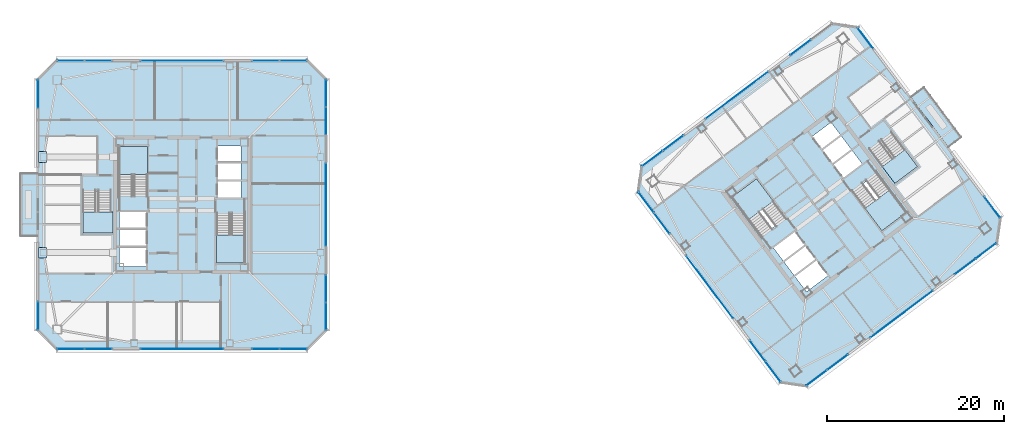
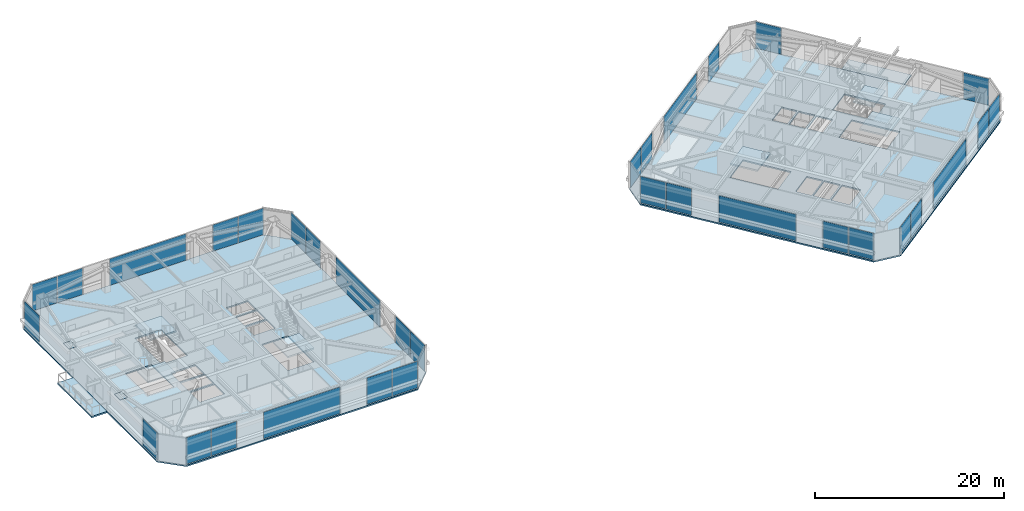
# One storey, part 27 of 39: 35 plates, 10 slabs, 28 elements without a shape of their own.
"""IFC4 building model written with IfcOpenShell, lengths in metres."""

from ifc_helpers import new_model, si_unit, direction, frame, origin, origin_2d, place, context, subcontext, project, spatial, polyline, rectangle, outline, extrude, material, layer, layer_set, type_object, element, aggregate, save


model = new_model("IFC4")

# Units and contexts
model_context = context("Model", 3, precision=1e-05, world=origin(), true_north=direction((0.0, 1.0)))
body_context = subcontext(model_context, "Body", "Model", "MODEL_VIEW")
ifc_project = project(units=[si_unit("LENGTHUNIT", "METRE"), si_unit("AREAUNIT", "SQUARE_METRE"), si_unit("VOLUMEUNIT", "CUBIC_METRE"), si_unit("PLANEANGLEUNIT", "RADIAN"), si_unit("MASSUNIT", "GRAM", prefix="KILO")], contexts=[model_context])

# Site, building, storey
site_placement = place(None, origin())
site = spatial("IfcSite", under=ifc_project, at=site_placement, CompositionType="ELEMENT")
building_placement = place(site_placement, origin())
building = spatial("IfcBuilding", under=site, at=building_placement, Name="Tashvorn Skyway Center", CompositionType="ELEMENT")
storey_placement = place(building_placement, frame((0.0, 0.0, 214.85009765625)))
storey = spatial("IfcBuildingStorey", under=building, at=storey_placement, Name="L58", CompositionType="ELEMENT", Elevation=214.85009765625)

# Curtain wall, plates
ifc_material_1 = material(Name="Thermally broken bronze-anodized aluminium 6063-T6", Category="aluminium")
curtain_wall_type = type_object("IfcCurtainWallType", Name="CW-CW-Z5", PredefinedType="NOTDEFINED", material=ifc_material_1)
curtain_wall_1_placement = place(storey_placement, origin())
curtain_wall_1 = element("IfcCurtainWall", 1, at=curtain_wall_1_placement, inside=storey, type_object=curtain_wall_type, Name="Tower 1 L58 South Unitised Curtain Wall Glazing Group 1", PredefinedType="NOTDEFINED")
ifc_material_2 = material(Name="Low-E solar-control double insulating safety glass", Category="glass")
ifc_layer_1 = layer(ifc_material_2, 0.031982421875)
ifc_layer_set_1 = layer_set([ifc_layer_1], Name="Low-E solar-control double insulating safety glass")
plate_type_1 = type_object("IfcPlateType", Name="CWP-CW-Z5", PredefinedType="CURTAIN_PANEL", material=ifc_layer_set_1)
plate_1_placement = place(storey_placement, frame((54.5869140625, 15.719970703125, 0.06982421875), z_axis=(0.0, 0.0, 1.0), x_axis=(-1.0, 0.0, 0.0)))
plate_1 = element("IfcPlate", 2, at=plate_1_placement, type_object=plate_type_1, Name="CW-Z5 panel 1.1", PredefinedType="CURTAIN_PANEL", context=body_context, shape_type="SweptSolid", body=[
    extrude(rectangle(XDim=3.046142578125, YDim=0.031982421875, at=origin_2d()), origin(), (0.0, 0.0, 1.0), 3.409912109375),
])
plate_2_placement = place(storey_placement, frame((51.470947265625, 15.719970703125, 0.06982421875), z_axis=(0.0, 0.0, 1.0), x_axis=(-1.0, 0.0, 0.0)))
plate_2 = element("IfcPlate", 3, at=plate_2_placement, type_object=plate_type_1, Name="CW-Z5 panel 2.1", PredefinedType="CURTAIN_PANEL", context=body_context, shape_type="SweptSolid", body=[
    extrude(rectangle(XDim=3.046142578125, YDim=0.031982421875, at=origin_2d()), origin(), (0.0, 0.0, 1.0), 3.409912109375),
])
aggregate(curtain_wall_1, [plate_1, plate_2])

# Curtain wall, plate
curtain_wall_2_placement = place(storey_placement, origin())
curtain_wall_2 = element("IfcCurtainWall", 4, at=curtain_wall_2_placement, inside=storey, type_object=curtain_wall_type, Name="Tower 1 L58 South Unitised Curtain Wall Glazing Group 2", PredefinedType="NOTDEFINED")
plate_3_placement = place(storey_placement, frame((42.0, 15.719970703125, 0.06982421875), z_axis=(0.0, 0.0, 1.0), x_axis=(-1.0, 0.0, 0.0)))
plate_3 = element("IfcPlate", 5, at=plate_3_placement, type_object=plate_type_1, Name="CW-Z5 panel 1.1", PredefinedType="CURTAIN_PANEL", context=body_context, shape_type="SweptSolid", body=[
    extrude(rectangle(XDim=9.3134765625, YDim=0.031982421875, at=origin_2d()), origin(), (0.0, 0.0, 1.0), 3.409912109375),
])
aggregate(curtain_wall_2, [plate_3])

# Curtain wall, plates
curtain_wall_3_placement = place(storey_placement, origin())
curtain_wall_3 = element("IfcCurtainWall", 6, at=curtain_wall_3_placement, inside=storey, type_object=curtain_wall_type, Name="Tower 1 L58 South Unitised Curtain Wall Glazing Group 3", PredefinedType="NOTDEFINED")
plate_4_placement = place(storey_placement, frame((32.529052734375, 15.719970703125, 0.06982421875), z_axis=(0.0, 0.0, 1.0), x_axis=(-1.0, 0.0, 0.0)))
plate_4 = element("IfcPlate", 7, at=plate_4_placement, type_object=plate_type_1, Name="CW-Z5 panel 1.1", PredefinedType="CURTAIN_PANEL", context=body_context, shape_type="SweptSolid", body=[
    extrude(rectangle(XDim=3.046142578125, YDim=0.031982421875, at=origin_2d()), origin(), (0.0, 0.0, 1.0), 3.409912109375),
])
plate_5_placement = place(storey_placement, frame((29.4130859375, 15.719970703125, 0.06982421875), z_axis=(0.0, 0.0, 1.0), x_axis=(-1.0, 0.0, 0.0)))
plate_5 = element("IfcPlate", 8, at=plate_5_placement, type_object=plate_type_1, Name="CW-Z5 panel 2.1", PredefinedType="CURTAIN_PANEL", context=body_context, shape_type="SweptSolid", body=[
    extrude(rectangle(XDim=3.046142578125, YDim=0.031982421875, at=origin_2d()), origin(), (0.0, 0.0, 1.0), 3.409912109375),
])
aggregate(curtain_wall_3, [plate_4, plate_5])

# Curtain wall, plate
curtain_wall_4_placement = place(storey_placement, origin())
curtain_wall_4 = element("IfcCurtainWall", 9, at=curtain_wall_4_placement, inside=storey, type_object=curtain_wall_type, Name="Tower 1 L58 West Curtain Wall L Glazing Group 1", PredefinedType="NOTDEFINED")
plate_6_placement = place(storey_placement, frame((25.719970703125, 19.47509765625, 0.06982421875), z_axis=(0.0, 0.0, 1.0), x_axis=(0.0, 1.0, 0.0)))
plate_6 = element("IfcPlate", 10, at=plate_6_placement, type_object=plate_type_1, Name="CW-Z5 panel 1.1", PredefinedType="CURTAIN_PANEL", context=body_context, shape_type="SweptSolid", body=[
    extrude(rectangle(XDim=3.169921875, YDim=0.031982421875, at=origin_2d()), origin(), (0.0, 0.0, 1.0), 3.409912109375),
])
aggregate(curtain_wall_4, [plate_6])

curtain_wall_5_placement = place(storey_placement, origin())
curtain_wall_5 = element("IfcCurtainWall", 11, at=curtain_wall_5_placement, inside=storey, type_object=curtain_wall_type, Name="Tower 1 L58 West Curtain Wall R Glazing Group 1", PredefinedType="NOTDEFINED")
plate_7_placement = place(storey_placement, frame((25.719970703125, 44.52490234375, 0.06982421875), z_axis=(0.0, 0.0, 1.0), x_axis=(0.0, 1.0, 0.0)))
plate_7 = element("IfcPlate", 12, at=plate_7_placement, type_object=plate_type_1, Name="CW-Z5 panel 1.1", PredefinedType="CURTAIN_PANEL", context=body_context, shape_type="SweptSolid", body=[
    extrude(rectangle(XDim=3.169921875, YDim=0.031982421875, at=origin_2d()), origin(), (0.0, 0.0, 1.0), 3.409912109375),
])
aggregate(curtain_wall_5, [plate_7])

# Curtain wall, plates
curtain_wall_6_placement = place(storey_placement, origin())
curtain_wall_6 = element("IfcCurtainWall", 13, at=curtain_wall_6_placement, inside=storey, type_object=curtain_wall_type, Name="Tower 1 L58 North Unitised Curtain Wall Glazing Group 1", PredefinedType="NOTDEFINED")
plate_8_placement = place(storey_placement, frame((29.4130859375, 48.280029296875, 0.06982421875), z_axis=(0.0, 0.0, 1.0), x_axis=(1.0, 0.0, 0.0)))
plate_8 = element("IfcPlate", 14, at=plate_8_placement, type_object=plate_type_1, Name="CW-Z5 panel 1.1", PredefinedType="CURTAIN_PANEL", context=body_context, shape_type="SweptSolid", body=[
    extrude(rectangle(XDim=3.046142578125, YDim=0.031982421875, at=origin_2d()), origin(), (0.0, 0.0, 1.0), 3.409912109375),
])
plate_9_placement = place(storey_placement, frame((32.529052734375, 48.280029296875, 0.06982421875), z_axis=(0.0, 0.0, 1.0), x_axis=(1.0, 0.0, 0.0)))
plate_9 = element("IfcPlate", 15, at=plate_9_placement, type_object=plate_type_1, Name="CW-Z5 panel 2.1", PredefinedType="CURTAIN_PANEL", context=body_context, shape_type="SweptSolid", body=[
    extrude(rectangle(XDim=3.046142578125, YDim=0.031982421875, at=origin_2d()), origin(), (0.0, 0.0, 1.0), 3.409912109375),
])
aggregate(curtain_wall_6, [plate_8, plate_9])

# Curtain wall, plate
curtain_wall_7_placement = place(storey_placement, origin())
curtain_wall_7 = element("IfcCurtainWall", 16, at=curtain_wall_7_placement, inside=storey, type_object=curtain_wall_type, Name="Tower 1 L58 North Unitised Curtain Wall Glazing Group 2", PredefinedType="NOTDEFINED")
plate_10_placement = place(storey_placement, frame((42.0, 48.280029296875, 0.06982421875), z_axis=(0.0, 0.0, 1.0), x_axis=(1.0, 0.0, 0.0)))
plate_10 = element("IfcPlate", 17, at=plate_10_placement, type_object=plate_type_1, Name="CW-Z5 panel 1.1", PredefinedType="CURTAIN_PANEL", context=body_context, shape_type="SweptSolid", body=[
    extrude(rectangle(XDim=9.3134765625, YDim=0.031982421875, at=origin_2d()), origin(), (0.0, 0.0, 1.0), 3.409912109375),
])
aggregate(curtain_wall_7, [plate_10])

# Curtain wall, plates
curtain_wall_8_placement = place(storey_placement, origin())
curtain_wall_8 = element("IfcCurtainWall", 18, at=curtain_wall_8_placement, inside=storey, type_object=curtain_wall_type, Name="Tower 1 L58 North Unitised Curtain Wall Glazing Group 3", PredefinedType="NOTDEFINED")
plate_11_placement = place(storey_placement, frame((51.470947265625, 48.280029296875, 0.06982421875), z_axis=(0.0, 0.0, 1.0), x_axis=(1.0, 0.0, 0.0)))
plate_11 = element("IfcPlate", 19, at=plate_11_placement, type_object=plate_type_1, Name="CW-Z5 panel 1.1", PredefinedType="CURTAIN_PANEL", context=body_context, shape_type="SweptSolid", body=[
    extrude(rectangle(XDim=3.046142578125, YDim=0.031982421875, at=origin_2d()), origin(), (0.0, 0.0, 1.0), 3.409912109375),
])
plate_12_placement = place(storey_placement, frame((54.5869140625, 48.280029296875, 0.06982421875), z_axis=(0.0, 0.0, 1.0), x_axis=(1.0, 0.0, 0.0)))
plate_12 = element("IfcPlate", 20, at=plate_12_placement, type_object=plate_type_1, Name="CW-Z5 panel 2.1", PredefinedType="CURTAIN_PANEL", context=body_context, shape_type="SweptSolid", body=[
    extrude(rectangle(XDim=3.046142578125, YDim=0.031982421875, at=origin_2d()), origin(), (0.0, 0.0, 1.0), 3.409912109375),
])
aggregate(curtain_wall_8, [plate_11, plate_12])

curtain_wall_9_placement = place(storey_placement, origin())
curtain_wall_9 = element("IfcCurtainWall", 21, at=curtain_wall_9_placement, inside=storey, type_object=curtain_wall_type, Name="Tower 1 L58 East Unitised Curtain Wall Glazing Group 1", PredefinedType="NOTDEFINED")
plate_13_placement = place(storey_placement, frame((58.280029296875, 44.5869140625, 0.06982421875), z_axis=(0.0, 0.0, 1.0), x_axis=(0.0, -1.0, 0.0)))
plate_13 = element("IfcPlate", 22, at=plate_13_placement, type_object=plate_type_1, Name="CW-Z5 panel 1.1", PredefinedType="CURTAIN_PANEL", context=body_context, shape_type="SweptSolid", body=[
    extrude(rectangle(XDim=3.046142578125, YDim=0.031982421875, at=origin_2d()), origin(), (0.0, 0.0, 1.0), 3.409912109375),
])
plate_14_placement = place(storey_placement, frame((58.280029296875, 41.470947265625, 0.06982421875), z_axis=(0.0, 0.0, 1.0), x_axis=(0.0, -1.0, 0.0)))
plate_14 = element("IfcPlate", 23, at=plate_14_placement, type_object=plate_type_1, Name="CW-Z5 panel 2.1", PredefinedType="CURTAIN_PANEL", context=body_context, shape_type="SweptSolid", body=[
    extrude(rectangle(XDim=3.046142578125, YDim=0.031982421875, at=origin_2d()), origin(), (0.0, 0.0, 1.0), 3.409912109375),
])
aggregate(curtain_wall_9, [plate_13, plate_14])

# Curtain wall, plate
curtain_wall_10_placement = place(storey_placement, origin())
curtain_wall_10 = element("IfcCurtainWall", 24, at=curtain_wall_10_placement, inside=storey, type_object=curtain_wall_type, Name="Tower 1 L58 East Unitised Curtain Wall Glazing Group 2", PredefinedType="NOTDEFINED")
plate_15_placement = place(storey_placement, frame((58.280029296875, 32.0, 0.06982421875), z_axis=(0.0, 0.0, 1.0), x_axis=(0.0, -1.0, 0.0)))
plate_15 = element("IfcPlate", 25, at=plate_15_placement, type_object=plate_type_1, Name="CW-Z5 panel 1.1", PredefinedType="CURTAIN_PANEL", context=body_context, shape_type="SweptSolid", body=[
    extrude(rectangle(XDim=9.3134765625, YDim=0.031982421875, at=origin_2d()), origin(), (0.0, 0.0, 1.0), 3.409912109375),
])
aggregate(curtain_wall_10, [plate_15])

# Curtain wall, plates
curtain_wall_11_placement = place(storey_placement, origin())
curtain_wall_11 = element("IfcCurtainWall", 26, at=curtain_wall_11_placement, inside=storey, type_object=curtain_wall_type, Name="Tower 1 L58 East Unitised Curtain Wall Glazing Group 3", PredefinedType="NOTDEFINED")
plate_16_placement = place(storey_placement, frame((58.280029296875, 22.529052734375, 0.06982421875), z_axis=(0.0, 0.0, 1.0), x_axis=(0.0, -1.0, 0.0)))
plate_16 = element("IfcPlate", 27, at=plate_16_placement, type_object=plate_type_1, Name="CW-Z5 panel 1.1", PredefinedType="CURTAIN_PANEL", context=body_context, shape_type="SweptSolid", body=[
    extrude(rectangle(XDim=3.046142578125, YDim=0.031982421875, at=origin_2d()), origin(), (0.0, 0.0, 1.0), 3.409912109375),
])
plate_17_placement = place(storey_placement, frame((58.280029296875, 19.4130859375, 0.06982421875), z_axis=(0.0, 0.0, 1.0), x_axis=(0.0, -1.0, 0.0)))
plate_17 = element("IfcPlate", 28, at=plate_17_placement, type_object=plate_type_1, Name="CW-Z5 panel 2.1", PredefinedType="CURTAIN_PANEL", context=body_context, shape_type="SweptSolid", body=[
    extrude(rectangle(XDim=3.046142578125, YDim=0.031982421875, at=origin_2d()), origin(), (0.0, 0.0, 1.0), 3.409912109375),
])
aggregate(curtain_wall_11, [plate_16, plate_17])

curtain_wall_12_placement = place(storey_placement, origin())
curtain_wall_12 = element("IfcCurtainWall", 29, at=curtain_wall_12_placement, inside=storey, type_object=curtain_wall_type, Name="Tower 2 L58 South Unitised Curtain Wall Glazing Group 1", PredefinedType="NOTDEFINED")
plate_18_placement = place(storey_placement, frame((132.85986328125, 26.794921875, 0.06982421875), z_axis=(0.0, 0.0, 1.0), x_axis=(-0.79999799704, -0.600002670604, 0.0)))
plate_18 = element("IfcPlate", 30, at=plate_18_placement, type_object=plate_type_1, Name="CW-Z5 panel 1.1", PredefinedType="CURTAIN_PANEL", context=body_context, shape_type="SweptSolid", body=[
    extrude(rectangle(XDim=2.890625, YDim=0.031982421875, at=origin_2d()), origin(), (0.0, 0.0, 1.0), 3.409912109375),
])
plate_19_placement = place(storey_placement, frame((130.4912109375, 25.0185546875, 0.06982421875), z_axis=(0.0, 0.0, 1.0), x_axis=(-0.79999799704, -0.600002670604, 0.0)))
plate_19 = element("IfcPlate", 31, at=plate_19_placement, type_object=plate_type_1, Name="CW-Z5 panel 2.1", PredefinedType="CURTAIN_PANEL", context=body_context, shape_type="SweptSolid", body=[
    extrude(rectangle(XDim=2.890625, YDim=0.031982421875, at=origin_2d()), origin(), (0.0, 0.0, 1.0), 3.409912109375),
])
aggregate(curtain_wall_12, [plate_18, plate_19])

# Curtain wall, plate
curtain_wall_13_placement = place(storey_placement, origin())
curtain_wall_13 = element("IfcCurtainWall", 32, at=curtain_wall_13_placement, inside=storey, type_object=curtain_wall_type, Name="Tower 2 L58 South Unitised Curtain Wall Glazing Group 2", PredefinedType="NOTDEFINED")
plate_20_placement = place(storey_placement, frame((123.2880859375, 19.615966796875, 0.06982421875), z_axis=(0.0, 0.0, 1.0), x_axis=(-0.800002670596, -0.599996439189, 0.0)))
plate_20 = element("IfcPlate", 33, at=plate_20_placement, type_object=plate_type_1, Name="CW-Z5 panel 1.1", PredefinedType="CURTAIN_PANEL", context=body_context, shape_type="SweptSolid", body=[
    extrude(rectangle(XDim=8.8466796875, YDim=0.031982421875, at=origin_2d()), origin(), (0.0, 0.0, 1.0), 3.409912109375),
])
aggregate(curtain_wall_13, [plate_20])

# Curtain wall, plates
curtain_wall_14_placement = place(storey_placement, origin())
curtain_wall_14 = element("IfcCurtainWall", 34, at=curtain_wall_14_placement, inside=storey, type_object=curtain_wall_type, Name="Tower 2 L58 South Unitised Curtain Wall Glazing Group 3", PredefinedType="NOTDEFINED")
plate_21_placement = place(storey_placement, frame((116.084716796875, 14.213623046875, 0.06982421875), z_axis=(0.0, 0.0, 1.0), x_axis=(-0.79999799704, -0.600002670604, 0.0)))
plate_21 = element("IfcPlate", 35, at=plate_21_placement, type_object=plate_type_1, Name="CW-Z5 panel 1.1", PredefinedType="CURTAIN_PANEL", context=body_context, shape_type="SweptSolid", body=[
    extrude(rectangle(XDim=2.890625, YDim=0.031982421875, at=origin_2d()), origin(), (0.0, 0.0, 1.0), 3.409912109375),
])
plate_22_placement = place(storey_placement, frame((113.71630859375, 12.437255859375, 0.06982421875), z_axis=(0.0, 0.0, 1.0), x_axis=(-0.79999799704, -0.600002670604, 0.0)))
plate_22 = element("IfcPlate", 36, at=plate_22_placement, type_object=plate_type_1, Name="CW-Z5 panel 2.1", PredefinedType="CURTAIN_PANEL", context=body_context, shape_type="SweptSolid", body=[
    extrude(rectangle(XDim=2.890625, YDim=0.031982421875, at=origin_2d()), origin(), (0.0, 0.0, 1.0), 3.409912109375),
])
aggregate(curtain_wall_14, [plate_21, plate_22])

curtain_wall_15_placement = place(storey_placement, origin())
curtain_wall_15 = element("IfcCurtainWall", 37, at=curtain_wall_15_placement, inside=storey, type_object=curtain_wall_type, Name="Tower 2 L58 West Unitised Curtain Wall Glazing Group 1", PredefinedType="NOTDEFINED")
plate_23_placement = place(storey_placement, frame((108.794921875, 13.14013671875, 0.06982421875), z_axis=(0.0, 0.0, 1.0), x_axis=(-0.600002670604, 0.79999799704, 0.0)))
plate_23 = element("IfcPlate", 38, at=plate_23_placement, type_object=plate_type_1, Name="CW-Z5 panel 1.1", PredefinedType="CURTAIN_PANEL", context=body_context, shape_type="SweptSolid", body=[
    extrude(rectangle(XDim=2.890625, YDim=0.031982421875, at=origin_2d()), origin(), (0.0, 0.0, 1.0), 3.409912109375),
])
plate_24_placement = place(storey_placement, frame((107.0185546875, 15.5087890625, 0.06982421875), z_axis=(0.0, 0.0, 1.0), x_axis=(-0.600002670604, 0.79999799704, 0.0)))
plate_24 = element("IfcPlate", 39, at=plate_24_placement, type_object=plate_type_1, Name="CW-Z5 panel 2.1", PredefinedType="CURTAIN_PANEL", context=body_context, shape_type="SweptSolid", body=[
    extrude(rectangle(XDim=2.890625, YDim=0.031982421875, at=origin_2d()), origin(), (0.0, 0.0, 1.0), 3.409912109375),
])
aggregate(curtain_wall_15, [plate_23, plate_24])

# Curtain wall, plate
curtain_wall_16_placement = place(storey_placement, origin())
curtain_wall_16 = element("IfcCurtainWall", 40, at=curtain_wall_16_placement, inside=storey, type_object=curtain_wall_type, Name="Tower 2 L58 West Unitised Curtain Wall Glazing Group 2", PredefinedType="NOTDEFINED")
plate_25_placement = place(storey_placement, frame((101.615966796875, 22.7119140625, 0.06982421875), z_axis=(0.0, 0.0, 1.0), x_axis=(-0.599996439189, 0.800002670596, 0.0)))
plate_25 = element("IfcPlate", 41, at=plate_25_placement, type_object=plate_type_1, Name="CW-Z5 panel 1.1", PredefinedType="CURTAIN_PANEL", context=body_context, shape_type="SweptSolid", body=[
    extrude(rectangle(XDim=8.8466796875, YDim=0.031982421875, at=origin_2d()), origin(), (0.0, 0.0, 1.0), 3.409912109375),
])
aggregate(curtain_wall_16, [plate_25])

# Curtain wall, plates
curtain_wall_17_placement = place(storey_placement, origin())
curtain_wall_17 = element("IfcCurtainWall", 42, at=curtain_wall_17_placement, inside=storey, type_object=curtain_wall_type, Name="Tower 2 L58 West Unitised Curtain Wall Glazing Group 3", PredefinedType="NOTDEFINED")
plate_26_placement = place(storey_placement, frame((96.213623046875, 29.915283203125, 0.06982421875), z_axis=(0.0, 0.0, 1.0), x_axis=(-0.600002670604, 0.79999799704, 0.0)))
plate_26 = element("IfcPlate", 43, at=plate_26_placement, type_object=plate_type_1, Name="CW-Z5 panel 1.1", PredefinedType="CURTAIN_PANEL", context=body_context, shape_type="SweptSolid", body=[
    extrude(rectangle(XDim=2.890625, YDim=0.031982421875, at=origin_2d()), origin(), (0.0, 0.0, 1.0), 3.409912109375),
])
plate_27_placement = place(storey_placement, frame((94.437255859375, 32.28369140625, 0.06982421875), z_axis=(0.0, 0.0, 1.0), x_axis=(-0.600002670604, 0.79999799704, 0.0)))
plate_27 = element("IfcPlate", 44, at=plate_27_placement, type_object=plate_type_1, Name="CW-Z5 panel 2.1", PredefinedType="CURTAIN_PANEL", context=body_context, shape_type="SweptSolid", body=[
    extrude(rectangle(XDim=2.890625, YDim=0.031982421875, at=origin_2d()), origin(), (0.0, 0.0, 1.0), 3.409912109375),
])
aggregate(curtain_wall_17, [plate_26, plate_27])

curtain_wall_18_placement = place(storey_placement, origin())
curtain_wall_18 = element("IfcCurtainWall", 45, at=curtain_wall_18_placement, inside=storey, type_object=curtain_wall_type, Name="Tower 2 L58 North Unitised Curtain Wall Glazing Group 1", PredefinedType="NOTDEFINED")
plate_28_placement = place(storey_placement, frame((95.14013671875, 37.205078125, 0.06982421875), z_axis=(0.0, 0.0, 1.0), x_axis=(0.79999799704, 0.600002670604, 0.0)))
plate_28 = element("IfcPlate", 46, at=plate_28_placement, type_object=plate_type_1, Name="CW-Z5 panel 1.1", PredefinedType="CURTAIN_PANEL", context=body_context, shape_type="SweptSolid", body=[
    extrude(rectangle(XDim=2.890625, YDim=0.031982421875, at=origin_2d()), origin(), (0.0, 0.0, 1.0), 3.409912109375),
])
plate_29_placement = place(storey_placement, frame((97.5087890625, 38.9814453125, 0.06982421875), z_axis=(0.0, 0.0, 1.0), x_axis=(0.79999799704, 0.600002670604, 0.0)))
plate_29 = element("IfcPlate", 47, at=plate_29_placement, type_object=plate_type_1, Name="CW-Z5 panel 2.1", PredefinedType="CURTAIN_PANEL", context=body_context, shape_type="SweptSolid", body=[
    extrude(rectangle(XDim=2.890625, YDim=0.031982421875, at=origin_2d()), origin(), (0.0, 0.0, 1.0), 3.409912109375),
])
aggregate(curtain_wall_18, [plate_28, plate_29])

# Curtain wall, plate
curtain_wall_19_placement = place(storey_placement, origin())
curtain_wall_19 = element("IfcCurtainWall", 48, at=curtain_wall_19_placement, inside=storey, type_object=curtain_wall_type, Name="Tower 2 L58 North Unitised Curtain Wall Glazing Group 2", PredefinedType="NOTDEFINED")
plate_30_placement = place(storey_placement, frame((104.7119140625, 44.384033203125, 0.06982421875), z_axis=(0.0, 0.0, 1.0), x_axis=(0.800002670596, 0.599996439189, 0.0)))
plate_30 = element("IfcPlate", 49, at=plate_30_placement, type_object=plate_type_1, Name="CW-Z5 panel 1.1", PredefinedType="CURTAIN_PANEL", context=body_context, shape_type="SweptSolid", body=[
    extrude(rectangle(XDim=8.8466796875, YDim=0.031982421875, at=origin_2d()), origin(), (0.0, 0.0, 1.0), 3.409912109375),
])
aggregate(curtain_wall_19, [plate_30])

curtain_wall_20_placement = place(storey_placement, origin())
curtain_wall_20 = element("IfcCurtainWall", 50, at=curtain_wall_20_placement, inside=storey, type_object=curtain_wall_type, Name="Tower 2 L58 North Unitised Curtain Wall Glazing Group 3", PredefinedType="NOTDEFINED")
plate_31_placement = place(storey_placement, frame((111.915283203125, 49.786376953125, 0.06982421875), z_axis=(0.0, 0.0, 1.0), x_axis=(0.79999799704, 0.600002670604, 0.0)))
plate_31 = element("IfcPlate", 51, at=plate_31_placement, type_object=plate_type_1, Name="CW-Z5 panel 1.1", PredefinedType="CURTAIN_PANEL", context=body_context, shape_type="SweptSolid", body=[
    extrude(rectangle(XDim=2.890625, YDim=0.031982421875, at=origin_2d()), origin(), (0.0, 0.0, 1.0), 3.409912109375),
])
aggregate(curtain_wall_20, [plate_31])

curtain_wall_21_placement = place(storey_placement, origin())
curtain_wall_21 = element("IfcCurtainWall", 52, at=curtain_wall_21_placement, inside=storey, type_object=curtain_wall_type, Name="Tower 2 L58 East Curtain Wall L Glazing Group 1", PredefinedType="NOTDEFINED")
plate_32_placement = place(storey_placement, frame((119.218994140625, 50.84130859375, 0.06982421875), z_axis=(0.0, 0.0, 1.0), x_axis=(0.60000520047, -0.799996099621, 0.0)))
plate_32 = element("IfcPlate", 53, at=plate_32_placement, type_object=plate_type_1, Name="CW-Z5 panel 1.1", PredefinedType="CURTAIN_PANEL", context=body_context, shape_type="SweptSolid", body=[
    extrude(rectangle(XDim=2.9365234375, YDim=0.031982421875, at=origin_2d()), origin(), (0.0, 0.0, 1.0), 3.409912109375),
])
aggregate(curtain_wall_21, [plate_32])

curtain_wall_22_placement = place(storey_placement, origin())
curtain_wall_22 = element("IfcCurtainWall", 54, at=curtain_wall_22_placement, inside=storey, type_object=curtain_wall_type, Name="Tower 2 L58 East Curtain Wall R Glazing Group 1", PredefinedType="NOTDEFINED")
plate_33_placement = place(storey_placement, frame((133.549072265625, 31.734619140625, 0.06982421875), z_axis=(0.0, 0.0, 1.0), x_axis=(0.60000520047, -0.799996099621, 0.0)))
plate_33 = element("IfcPlate", 55, at=plate_33_placement, type_object=plate_type_1, Name="CW-Z5 panel 1.1", PredefinedType="CURTAIN_PANEL", context=body_context, shape_type="SweptSolid", body=[
    extrude(rectangle(XDim=2.9365234375, YDim=0.031982421875, at=origin_2d()), origin(), (0.0, 0.0, 1.0), 3.409912109375),
])
aggregate(curtain_wall_22, [plate_33])

# Plates
ifc_material_3 = material(Name="Steel ASTM A572 Grade 50", Category="steel")
ifc_layer_2 = layer(ifc_material_3, 0.034912109375)
ifc_layer_set_2 = layer_set([ifc_layer_2], Name="Steel ASTM A572 Grade 50")
plate_type_2 = type_object("IfcPlateType", Name="PLT-CAP-35", PredefinedType="USERDEFINED", material=ifc_layer_set_2)
for number, where, z_axis, x_axis, name in (
    (56, (26.235107421875, 26.60009765625, 2.8525390625), (0.0, 0.0, 1.0), (1.0, 0.0, 0.0), "Sky-Park Anchor Outrigger End Plate 1"),
    (57, (26.235107421875, 37.39990234375, 2.8525390625), (0.0, 0.0, 1.0), (1.0, 0.0, 0.0), "Sky-Park Anchor Outrigger End Plate 2"),
):
    element("IfcPlate", number, at=place(storey_placement, frame(where, z_axis=z_axis, x_axis=x_axis)), inside=storey, type_object=plate_type_2, Name=name, ObjectType="END PLATE", PredefinedType="USERDEFINED", context=body_context, shape_type="SweptSolid", body=[
        extrude(rectangle(XDim=0.919921875, YDim=1.199951171875, at=origin_2d()), origin(), (0.0, 0.0, 1.0), 0.034912109375),
    ])

# Slabs
ifc_material_4 = material(Name="Concrete C40/50", Category="concrete")
ifc_layer_3 = layer(ifc_material_4, 0.179931640625)
ifc_layer_set_3 = layer_set([ifc_layer_3], Name="Concrete C40/50")
slab_type_1 = type_object("IfcSlabType", Name="SLAB-FLR-180", PredefinedType="FLOOR", material=ifc_layer_set_3)
slab_1_placement = place(storey_placement, frame((0.0, 0.0, -0.18017578125)))
element("IfcSlab", 58, at=slab_1_placement, inside=storey, type_object=slab_type_1, Name="Tower 1 L58 Composite Floor Slab", PredefinedType="FLOOR", context=body_context, shape_type="SweptSolid", body=[
    extrude(outline(polyline([(27.89990234375, 15.60009765625), (56.10009765625, 15.60009765625), (58.39990234375, 17.89990234375), (58.39990234375, 46.10009765625), (56.10009765625, 48.39990234375), (27.89990234375, 48.39990234375), (25.60009765625, 46.10009765625), (25.60009765625, 17.89990234375), (27.89990234375, 15.60009765625)]), holes=[polyline([(38.10009765625, 33.080078125), (38.10009765625, 38.60009765625), (34.89990234375, 38.60009765625), (34.89990234375, 33.080078125), (38.10009765625, 33.080078125)]), polyline([(45.89990234375, 30.919921875), (45.89990234375, 25.39990234375), (49.10009765625, 25.39990234375), (49.10009765625, 30.919921875), (45.89990234375, 30.919921875)]), polyline([(30.800048828125, 33.52001953125), (30.800048828125, 28.800048828125), (34.0, 28.800048828125), (34.0, 33.52001953125), (30.800048828125, 33.52001953125)]), polyline([(34.949951171875, 29.35009765625), (37.949951171875, 29.35009765625), (37.949951171875, 31.199951171875), (34.949951171875, 31.199951171875), (34.949951171875, 29.35009765625)]), polyline([(34.949951171875, 27.35009765625), (37.949951171875, 27.35009765625), (37.949951171875, 29.199951171875), (34.949951171875, 29.199951171875), (34.949951171875, 27.35009765625)]), polyline([(34.949951171875, 25.0), (37.949951171875, 25.0), (37.949951171875, 27.14990234375), (34.949951171875, 27.14990234375), (34.949951171875, 25.0)]), polyline([(46.050048828125, 32.800048828125), (48.64990234375, 32.800048828125), (48.64990234375, 34.64990234375), (46.050048828125, 34.64990234375), (46.050048828125, 32.800048828125)]), polyline([(46.050048828125, 34.85009765625), (48.64990234375, 34.85009765625), (48.64990234375, 36.699951171875), (46.050048828125, 36.699951171875), (46.050048828125, 34.85009765625)]), polyline([(46.050048828125, 36.89990234375), (48.64990234375, 36.89990234375), (48.64990234375, 38.64990234375), (46.050048828125, 38.64990234375), (46.050048828125, 36.89990234375)])]), origin(), (0.0, 0.0, 1.0), 0.18017578125),
])
slab_2_placement = place(storey_placement, frame((0.0, 0.0, -0.18017578125)))
element("IfcSlab", 59, at=slab_2_placement, inside=storey, type_object=slab_type_1, Name="Tower 2 L58 Composite Floor Slab", PredefinedType="FLOOR", context=body_context, shape_type="SweptSolid", body=[
    extrude(outline(polyline([(112.639892578125, 11.47998046875), (134.080078125, 27.56005859375), (134.52001953125, 30.639892578125), (118.43994140625, 52.080078125), (115.360107421875, 52.52001953125), (93.919921875, 36.43994140625), (93.47998046875, 33.360107421875), (109.56005859375, 11.919921875), (112.639892578125, 11.47998046875)]), holes=[polyline([(110.23193359375, 30.52392578125), (106.919921875, 34.93994140625), (104.135986328125, 32.85205078125), (107.447998046875, 28.43603515625), (110.23193359375, 30.52392578125)]), polyline([(117.76806640625, 33.47607421875), (121.080078125, 29.06005859375), (123.864013671875, 31.14794921875), (120.552001953125, 35.56396484375), (117.76806640625, 33.47607421875)]), polyline([(119.7119140625, 38.18408203125), (122.5439453125, 34.407958984375), (125.10400390625, 36.327880859375), (122.27197265625, 40.10400390625), (119.7119140625, 38.18408203125)]), polyline([(109.949951171875, 25.64990234375), (112.35009765625, 27.449951171875), (111.239990234375, 28.929931640625), (108.840087890625, 27.1298828125), (109.949951171875, 25.64990234375)]), polyline([(111.14990234375, 24.050048828125), (113.550048828125, 25.85009765625), (112.43994140625, 27.330078125), (110.0400390625, 25.530029296875), (111.14990234375, 24.050048828125)]), polyline([(112.56005859375, 22.169921875), (114.9599609375, 23.969970703125), (113.669921875, 25.68994140625), (111.27001953125, 23.889892578125), (112.56005859375, 22.169921875)]), polyline([(116.760009765625, 35.070068359375), (118.840087890625, 36.6298828125), (117.72998046875, 38.110107421875), (115.64990234375, 36.550048828125), (116.760009765625, 35.070068359375)]), polyline([(115.530029296875, 36.7099609375), (117.610107421875, 38.27001953125), (116.5, 39.75), (114.419921875, 38.18994140625), (115.530029296875, 36.7099609375)]), polyline([(114.300048828125, 38.35009765625), (116.3798828125, 39.909912109375), (115.330078125, 41.31005859375), (113.25, 39.75), (114.300048828125, 38.35009765625)])]), origin(), (0.0, 0.0, 1.0), 0.18017578125),
])

# Stair, slab
stair_type = type_object("IfcStairType", Name="STAIR-CORE-1500", PredefinedType="HALF_TURN_STAIR", material=ifc_material_4)
stair_1_placement = place(storey_placement, origin())
stair_1 = element("IfcStair", 60, at=stair_1_placement, inside=storey, type_object=stair_type, Name="L58 Tower 1 Exit Stair 1", PredefinedType="HALF_TURN_STAIR")
ifc_layer_4 = layer(ifc_material_4, 0.199951171875)
ifc_layer_set_4 = layer_set([ifc_layer_4], Name="Concrete C40/50")
slab_type_2 = type_object("IfcSlabType", Name="SLAB-LAND-200", PredefinedType="LANDING", material=ifc_layer_set_4)
slab_3_placement = place(storey_placement, frame((0.0, 0.0, 1.574951171875)))
slab_3 = element("IfcSlab", 61, at=slab_3_placement, type_object=slab_type_2, Name="ST-T1-1 landing 1", PredefinedType="LANDING", context=body_context, shape_type="SweptSolid", body=[
    extrude(outline(polyline([(38.10009765625, 35.43994140625), (38.10009765625, 38.60009765625), (34.89990234375, 38.60009765625), (34.89990234375, 35.43994140625), (38.10009765625, 35.43994140625)])), origin(), (0.0, 0.0, 1.0), 0.199951171875),
])
aggregate(stair_1, [slab_3])

stair_2_placement = place(storey_placement, origin())
stair_2 = element("IfcStair", 62, at=stair_2_placement, inside=storey, type_object=stair_type, Name="L58 Tower 1 Exit Stair 2", PredefinedType="HALF_TURN_STAIR")
slab_4_placement = place(storey_placement, frame((0.0, 0.0, 1.574951171875)))
slab_4 = element("IfcSlab", 63, at=slab_4_placement, type_object=slab_type_2, Name="ST-T1-2 landing 1", PredefinedType="LANDING", context=body_context, shape_type="SweptSolid", body=[
    extrude(outline(polyline([(45.89990234375, 28.56005859375), (45.89990234375, 25.39990234375), (49.10009765625, 25.39990234375), (49.10009765625, 28.56005859375), (45.89990234375, 28.56005859375)])), origin(), (0.0, 0.0, 1.0), 0.199951171875),
])
aggregate(stair_2, [slab_4])

stair_3_placement = place(storey_placement, origin())
stair_3 = element("IfcStair", 64, at=stair_3_placement, inside=storey, type_object=stair_type, Name="L58 Tower 2 Exit Stair 1", PredefinedType="HALF_TURN_STAIR")
slab_5_placement = place(storey_placement, frame((0.0, 0.0, 1.574951171875)))
slab_5 = element("IfcSlab", 65, at=slab_5_placement, type_object=slab_type_2, Name="ST-T2-1 landing 1", PredefinedType="LANDING", context=body_context, shape_type="SweptSolid", body=[
    extrude(outline(polyline([(108.82080078125, 32.405517578125), (106.919921875, 34.93994140625), (104.135986328125, 32.85205078125), (106.036865234375, 30.317626953125), (108.82080078125, 32.405517578125)])), origin(), (0.0, 0.0, 1.0), 0.199951171875),
])
aggregate(stair_3, [slab_5])

stair_4_placement = place(storey_placement, origin())
stair_4 = element("IfcStair", 66, at=stair_4_placement, inside=storey, type_object=stair_type, Name="L58 Tower 2 Exit Stair 2", PredefinedType="HALF_TURN_STAIR")
slab_6_placement = place(storey_placement, frame((0.0, 0.0, 1.574951171875)))
slab_6 = element("IfcSlab", 67, at=slab_6_placement, type_object=slab_type_2, Name="ST-T2-2 landing 1", PredefinedType="LANDING", context=body_context, shape_type="SweptSolid", body=[
    extrude(outline(polyline([(119.17919921875, 31.594482421875), (121.080078125, 29.06005859375), (123.864013671875, 31.14794921875), (121.963134765625, 33.682373046875), (119.17919921875, 31.594482421875)])), origin(), (0.0, 0.0, 1.0), 0.199951171875),
])
aggregate(stair_4, [slab_6])

stair_5_placement = place(storey_placement, origin())
stair_5 = element("IfcStair", 68, at=stair_5_placement, inside=storey, type_object=stair_type, Name="L58 Tower 1 Exit Stair 3", PredefinedType="HALF_TURN_STAIR")
slab_7_placement = place(storey_placement, frame((0.0, 0.0, 1.574951171875)))
slab_7 = element("IfcSlab", 69, at=slab_7_placement, type_object=slab_type_2, Name="ST-T1-3 landing 1", PredefinedType="LANDING", context=body_context, shape_type="SweptSolid", body=[
    extrude(outline(polyline([(30.800048828125, 31.159912109375), (30.800048828125, 28.800048828125), (34.199951171875, 28.800048828125), (34.199951171875, 31.159912109375), (30.800048828125, 31.159912109375)])), origin(), (0.0, 0.0, 1.0), 0.199951171875),
])
aggregate(stair_5, [slab_7])

stair_6_placement = place(storey_placement, origin())
stair_6 = element("IfcStair", 70, at=stair_6_placement, inside=storey, type_object=stair_type, Name="L58 Tower 2 Exit Stair 3", PredefinedType="HALF_TURN_STAIR")
slab_8_placement = place(storey_placement, frame((0.0, 0.0, 1.574951171875)))
slab_8 = element("IfcSlab", 71, at=slab_8_placement, type_object=slab_type_2, Name="ST-T2-3 landing 1", PredefinedType="LANDING", context=body_context, shape_type="SweptSolid", body=[
    extrude(outline(polyline([(121.123291015625, 36.302490234375), (122.5439453125, 34.407958984375), (125.10400390625, 36.327880859375), (123.68310546875, 38.222412109375), (121.123291015625, 36.302490234375)])), origin(), (0.0, 0.0, 1.0), 0.199951171875),
])
aggregate(stair_6, [slab_8])

# Slabs
ifc_layer_5 = layer(ifc_material_4, 0.179931640625)
ifc_layer_set_5 = layer_set([ifc_layer_5], Name="Concrete C40/50")
slab_type_3 = type_object("IfcSlabType", Name="SLAB-TERR-200", PredefinedType="FLOOR", material=ifc_layer_set_5)
slab_9_placement = place(storey_placement, frame((0.0, 0.0, -0.18017578125)))
element("IfcSlab", 72, at=slab_9_placement, inside=storey, type_object=slab_type_3, Name="Tower 1 L58 Spiral Planted Terrace Slab", PredefinedType="FLOOR", context=body_context, shape_type="SweptSolid", body=[
    extrude(outline(polyline([(23.699951171875, 28.39990234375), (25.610107421875, 28.39990234375), (25.610107421875, 35.60009765625), (23.699951171875, 35.60009765625), (23.699951171875, 28.39990234375)])), origin(), (0.0, 0.0, 1.0), 0.18017578125),
])
slab_10_placement = place(storey_placement, frame((0.0, 0.0, -0.18017578125)))
element("IfcSlab", 73, at=slab_10_placement, inside=storey, type_object=slab_type_3, Name="Tower 2 L58 Spiral Planted Terrace Slab", PredefinedType="FLOOR", context=body_context, shape_type="SweptSolid", body=[
    extrude(outline(polyline([(128.632080078125, 38.47412109375), (130.159912109375, 39.6201171875), (125.840087890625, 45.3798828125), (124.31201171875, 44.23388671875), (128.632080078125, 38.47412109375)])), origin(), (0.0, 0.0, 1.0), 0.18017578125),
])

save(model, "model.ifc")
